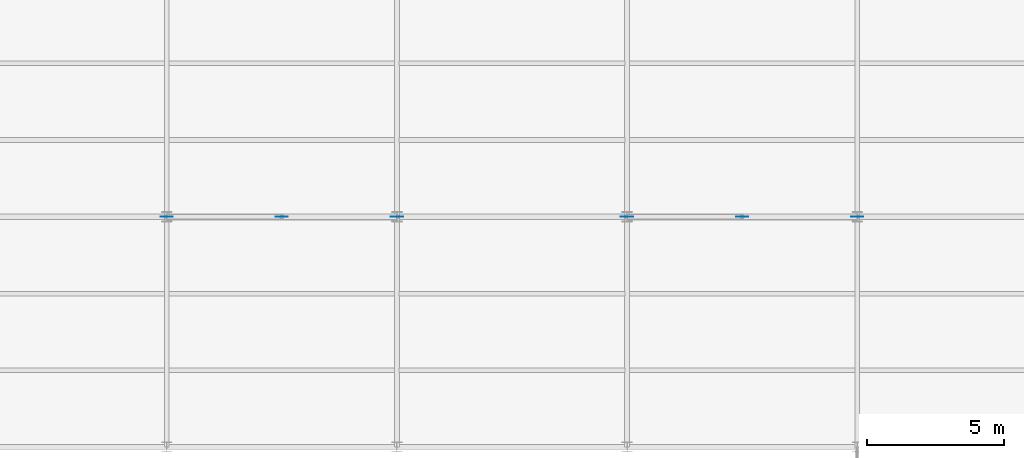
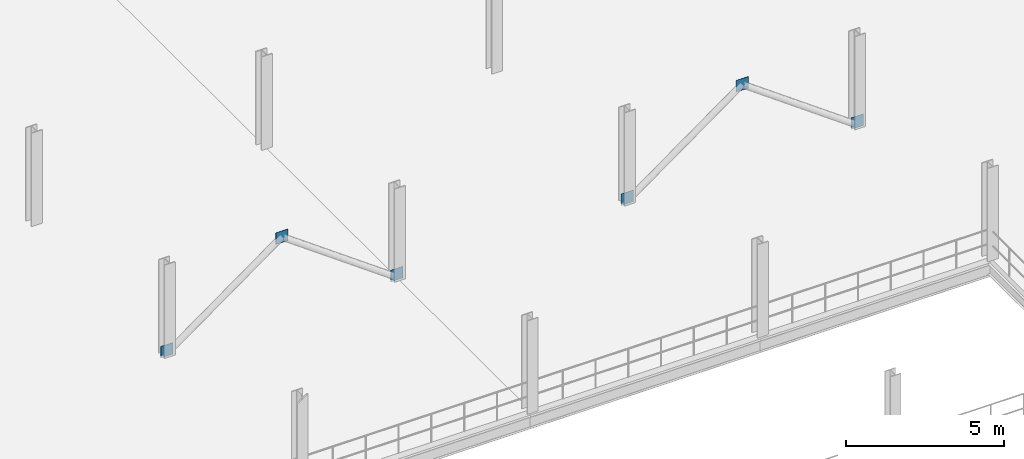
# One storey, part 79 of 101: 6 plates.
"""IFC4 building model written with IfcOpenShell, lengths in metres."""

from ifc_helpers import new_model, si_unit, direction, frame, origin, origin_2d, place, context, subcontext, project, spatial, rectangle, extrude, material, layer, layer_set, type_object, element, save


model = new_model("IFC4")

# Units and contexts
model_context = context("Model", 3, precision=1e-05, world=origin(), true_north=direction((0.0, 1.0)))
body_context = subcontext(model_context, "Body", "Model", "MODEL_VIEW")
ifc_project = project(units=[si_unit("LENGTHUNIT", "METRE"), si_unit("AREAUNIT", "SQUARE_METRE"), si_unit("VOLUMEUNIT", "CUBIC_METRE"), si_unit("PLANEANGLEUNIT", "RADIAN"), si_unit("MASSUNIT", "GRAM", prefix="KILO"), si_unit("THERMODYNAMICTEMPERATUREUNIT", "KELVIN"), si_unit("POWERUNIT", "WATT")], contexts=[model_context])

# Site, building, storey
site_placement = place(None, origin())
site = spatial("IfcSite", under=ifc_project, at=site_placement, CompositionType="ELEMENT")
building_placement = place(site_placement, origin())
building = spatial("IfcBuilding", under=site, at=building_placement, Name="Tembeka Court Mobility Hub", CompositionType="ELEMENT")
storey_placement = place(building_placement, frame((0.0, 0.0, 5.39990234375)))
storey = spatial("IfcBuildingStorey", under=building, at=storey_placement, Name="L01", CompositionType="ELEMENT", Elevation=5.39990234375)

# Plates
ifc_material = material(Name="Steel S355", Category="steel")
ifc_layer = layer(ifc_material, 0.011962890625)
ifc_layer_set = layer_set([ifc_layer], Name="Steel S355")
plate_type = type_object("IfcPlateType", Name="PL-NDP02", PredefinedType="USERDEFINED", material=ifc_layer_set)
for number, where, z_axis, x_axis, name in (
    (1, (33.60009765625, 72.0, -0.0849609375), (0.0, 0.0, 1.0), (1.0, 0.0, 0.0), "Chevron brace gusset plate NDP02 (L01-2-1)"),
    (2, (42.0, 72.0, -0.0849609375), (0.0, 0.0, 1.0), (1.0, 0.0, 0.0), "Chevron brace gusset plate NDP02 (L01-2-2)"),
    (3, (37.800048828125, 72.0, 2.8251953125), (0.0, 0.0, 1.0), (1.0, 0.0, 0.0), "Chevron brace gusset plate NDP02 (L01-2-3)"),
    (4, (50.39990234375, 72.0, -0.0849609375), (0.0, 0.0, 1.0), (1.0, 0.0, 0.0), "Chevron brace gusset plate NDP02 (L01-8-1)"),
    (5, (58.800048828125, 72.0, -0.0849609375), (0.0, 0.0, 1.0), (1.0, 0.0, 0.0), "Chevron brace gusset plate NDP02 (L01-8-2)"),
    (6, (54.60009765625, 72.0, 2.8251953125), (0.0, 0.0, 1.0), (1.0, 0.0, 0.0), "Chevron brace gusset plate NDP02 (L01-8-3)"),
):
    element("IfcPlate", number, at=place(storey_placement, frame(where, z_axis=z_axis, x_axis=x_axis)), inside=storey, type_object=plate_type, Name=name, ObjectType="GUSSET PLATE", PredefinedType="USERDEFINED", context=body_context, shape_type="SweptSolid", body=[
        extrude(rectangle(XDim=0.449951171875, YDim=0.011962890625, at=origin_2d()), origin(), (0.0, 0.0, 1.0), 0.449951171875),
    ])

save(model, "model.ifc")
